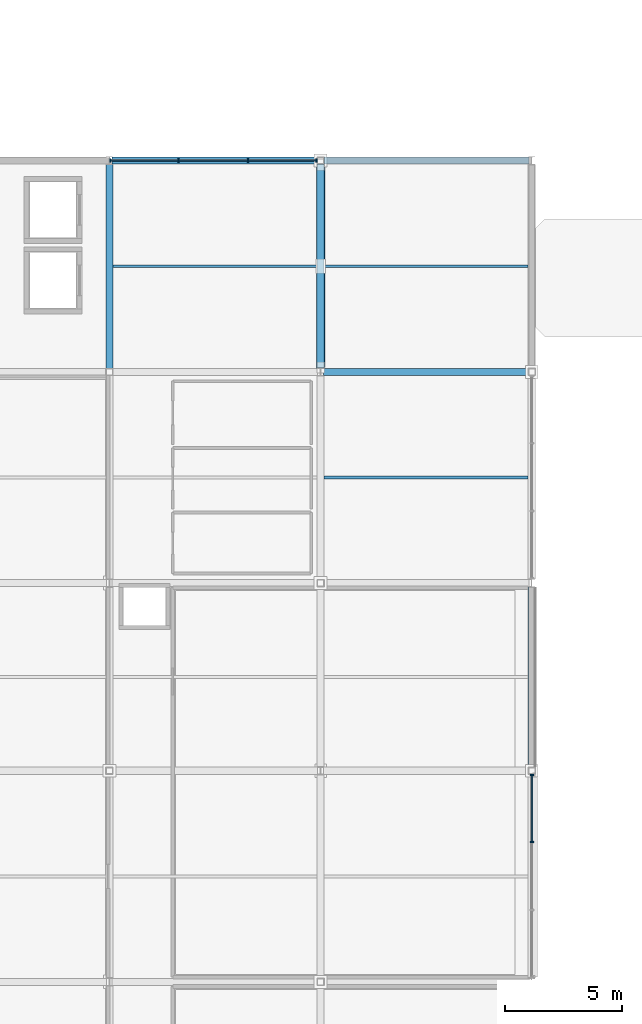
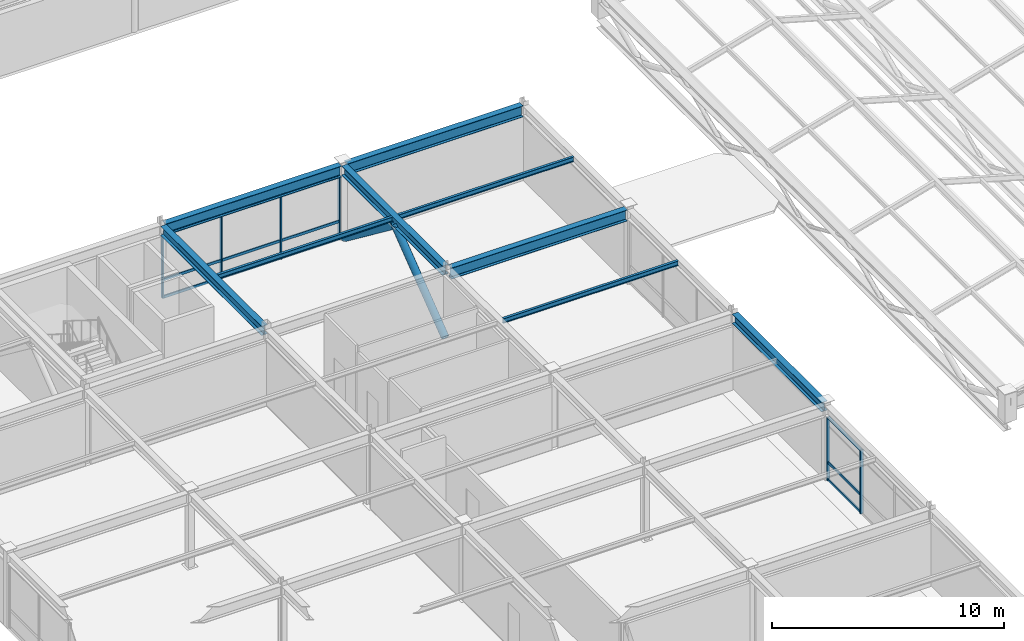
# One storey, part 30 of 108: 20 members, 9 beams, 2 elements without a shape of their own.
"""IFC4 building model written with IfcOpenShell, lengths in metres."""

from ifc_helpers import new_model, si_unit, direction, frame, origin, origin_2d, place, context, subcontext, project, spatial, rectangle, hollow_circle, i_section, extrude, material, material_profile, profile_set, type_object, element, aggregate, save


model = new_model("IFC4")

# Units and contexts
model_context = context("Model", 3, precision=1e-05, world=origin(), true_north=direction((0.0, 1.0)))
body_context = subcontext(model_context, "Body", "Model", "MODEL_VIEW")
ifc_project = project(units=[si_unit("LENGTHUNIT", "METRE"), si_unit("AREAUNIT", "SQUARE_METRE"), si_unit("VOLUMEUNIT", "CUBIC_METRE"), si_unit("PLANEANGLEUNIT", "RADIAN"), si_unit("MASSUNIT", "GRAM", prefix="KILO")], contexts=[model_context])

# Site, building, storey
site_placement = place(None, origin())
site = spatial("IfcSite", under=ifc_project, at=site_placement, CompositionType="ELEMENT")
building_placement = place(site_placement, origin())
building = spatial("IfcBuilding", under=site, at=building_placement, Name="Suzunagisa Mobility Hub", CompositionType="ELEMENT")
storey_placement = place(building_placement, frame((0.0, 0.0, 9.300048828125)))
storey = spatial("IfcBuildingStorey", under=building, at=storey_placement, Name="L02", CompositionType="ELEMENT", Elevation=9.300048828125)

# Curtain wall, members
ifc_material_1 = material(Name="Thermally Broken Anodized Aluminum and Low-E Glazing", Category="aluminium")
curtain_wall_type = type_object("IfcCurtainWallType", Name="Unitised Curtain Wall CW-12 8750x3300", PredefinedType="USERDEFINED", material=ifc_material_1)
curtain_wall_1_placement = place(storey_placement, origin())
curtain_wall_1 = element("IfcCurtainWall", 1, at=curtain_wall_1_placement, inside=storey, type_object=curtain_wall_type, Name="L02 Unitised Curtain Wall CW-27", ObjectType="UNITISED CURTAIN WALL", PredefinedType="USERDEFINED")
ifc_material_2 = material(Name="Anodized Aluminum 6063-T6", Category="aluminium")
ifc_material_profile_1 = material_profile(ifc_material_2, rectangle(XDim=0.06494140625, YDim=0.139892578125, at=origin_2d()), Name="TRAN-65x140")
ifc_profile_set_1 = profile_set([ifc_material_profile_1], Name="Anodized Aluminum 6063-T6")
member_type_1 = type_object("IfcMemberType", Name="Curtain Wall Framing CM-01 TRAN-65x140", PredefinedType="USERDEFINED", material=ifc_profile_set_1)
member_1_placement = place(storey_placement, frame((36.0, 32.984619140625, 0.032470703125), z_axis=(0.0, 1.0, 0.0), x_axis=(-1.0, 0.0, 0.0)))
member_1 = element("IfcMember", 2, at=member_1_placement, type_object=member_type_1, Name="Curtain Wall Transom 27-T3.1", ObjectType="TRANSOM", PredefinedType="USERDEFINED", context=body_context, shape_type="SweptSolid", body=[
    extrude(rectangle(XDim=0.06494140625, YDim=0.139892578125, at=origin_2d()), origin(), (0.0, 0.0, 1.0), 2.807373046875),
])
member_2_placement = place(storey_placement, frame((36.0, 32.984619140625, 0.949951171875), z_axis=(0.0, 1.0, 0.0), x_axis=(-1.0, 0.0, 0.0)))
member_2 = element("IfcMember", 3, at=member_2_placement, type_object=member_type_1, Name="Curtain Wall Transom 27-T3.2", ObjectType="TRANSOM", PredefinedType="USERDEFINED", context=body_context, shape_type="SweptSolid", body=[
    extrude(rectangle(XDim=0.06494140625, YDim=0.139892578125, at=origin_2d()), origin(), (0.0, 0.0, 1.0), 2.807373046875),
])
member_3_placement = place(storey_placement, frame((36.0, 32.984619140625, 3.299560546875), z_axis=(0.0, 1.0, 0.0), x_axis=(-1.0, 0.0, 0.0)))
member_3 = element("IfcMember", 4, at=member_3_placement, type_object=member_type_1, Name="Curtain Wall Transom 27-T3.3", ObjectType="TRANSOM", PredefinedType="USERDEFINED", context=body_context, shape_type="SweptSolid", body=[
    extrude(rectangle(XDim=0.06494140625, YDim=0.139892578125, at=origin_2d()), origin(), (0.0, 0.0, 1.0), 2.807373046875),
])

curtain_wall_2_placement = place(storey_placement, origin())
curtain_wall_2 = element("IfcCurtainWall", 5, at=curtain_wall_2_placement, inside=storey, type_object=curtain_wall_type, Name="L02 Unitised Curtain Wall CW-29", ObjectType="UNITISED CURTAIN WALL", PredefinedType="USERDEFINED")
member_4_placement = place(storey_placement, frame((26.7919921875, 62.0, 0.032470703125), z_axis=(-1.0, 0.0, 0.0), x_axis=(0.0, -1.0, 0.0)))
member_4 = element("IfcMember", 6, at=member_4_placement, type_object=member_type_1, Name="Curtain Wall Transom 29-T1.1", ObjectType="TRANSOM", PredefinedType="USERDEFINED", context=body_context, shape_type="SweptSolid", body=[
    extrude(rectangle(XDim=0.06494140625, YDim=0.139892578125, at=origin_2d()), origin(), (0.0, 0.0, 1.0), 2.862548828125),
])
member_5_placement = place(storey_placement, frame((26.7919921875, 62.0, 0.949951171875), z_axis=(-1.0, 0.0, 0.0), x_axis=(0.0, -1.0, 0.0)))
member_5 = element("IfcMember", 7, at=member_5_placement, type_object=member_type_1, Name="Curtain Wall Transom 29-T1.2", ObjectType="TRANSOM", PredefinedType="USERDEFINED", context=body_context, shape_type="SweptSolid", body=[
    extrude(rectangle(XDim=0.06494140625, YDim=0.139892578125, at=origin_2d()), origin(), (0.0, 0.0, 1.0), 2.862548828125),
])
member_6_placement = place(storey_placement, frame((26.7919921875, 62.0, 3.299560546875), z_axis=(-1.0, 0.0, 0.0), x_axis=(0.0, -1.0, 0.0)))
member_6 = element("IfcMember", 8, at=member_6_placement, type_object=member_type_1, Name="Curtain Wall Transom 29-T1.3", ObjectType="TRANSOM", PredefinedType="USERDEFINED", context=body_context, shape_type="SweptSolid", body=[
    extrude(rectangle(XDim=0.06494140625, YDim=0.139892578125, at=origin_2d()), origin(), (0.0, 0.0, 1.0), 2.862548828125),
])
member_7_placement = place(storey_placement, frame((23.87353515625, 62.0, 0.032470703125), z_axis=(-1.0, 0.0, 0.0), x_axis=(0.0, -1.0, 0.0)))
member_7 = element("IfcMember", 9, at=member_7_placement, type_object=member_type_1, Name="Curtain Wall Transom 29-T2.1", ObjectType="TRANSOM", PredefinedType="USERDEFINED", context=body_context, shape_type="SweptSolid", body=[
    extrude(rectangle(XDim=0.06494140625, YDim=0.139892578125, at=origin_2d()), origin(), (0.0, 0.0, 1.0), 2.892578125),
])
member_8_placement = place(storey_placement, frame((23.87353515625, 62.0, 0.949951171875), z_axis=(-1.0, 0.0, 0.0), x_axis=(0.0, -1.0, 0.0)))
member_8 = element("IfcMember", 10, at=member_8_placement, type_object=member_type_1, Name="Curtain Wall Transom 29-T2.2", ObjectType="TRANSOM", PredefinedType="USERDEFINED", context=body_context, shape_type="SweptSolid", body=[
    extrude(rectangle(XDim=0.06494140625, YDim=0.139892578125, at=origin_2d()), origin(), (0.0, 0.0, 1.0), 2.892578125),
])
member_9_placement = place(storey_placement, frame((23.87353515625, 62.0, 3.299560546875), z_axis=(-1.0, 0.0, 0.0), x_axis=(0.0, -1.0, 0.0)))
member_9 = element("IfcMember", 11, at=member_9_placement, type_object=member_type_1, Name="Curtain Wall Transom 29-T2.3", ObjectType="TRANSOM", PredefinedType="USERDEFINED", context=body_context, shape_type="SweptSolid", body=[
    extrude(rectangle(XDim=0.06494140625, YDim=0.139892578125, at=origin_2d()), origin(), (0.0, 0.0, 1.0), 2.892578125),
])
member_10_placement = place(storey_placement, frame((20.925048828125, 62.0, 0.032470703125), z_axis=(-1.0, 0.0, 0.0), x_axis=(0.0, -1.0, 0.0)))
member_10 = element("IfcMember", 12, at=member_10_placement, type_object=member_type_1, Name="Curtain Wall Transom 29-T3.1", ObjectType="TRANSOM", PredefinedType="USERDEFINED", context=body_context, shape_type="SweptSolid", body=[
    extrude(rectangle(XDim=0.06494140625, YDim=0.139892578125, at=origin_2d()), origin(), (0.0, 0.0, 1.0), 2.862548828125),
])
member_11_placement = place(storey_placement, frame((20.925048828125, 62.0, 0.949951171875), z_axis=(-1.0, 0.0, 0.0), x_axis=(0.0, -1.0, 0.0)))
member_11 = element("IfcMember", 13, at=member_11_placement, type_object=member_type_1, Name="Curtain Wall Transom 29-T3.2", ObjectType="TRANSOM", PredefinedType="USERDEFINED", context=body_context, shape_type="SweptSolid", body=[
    extrude(rectangle(XDim=0.06494140625, YDim=0.139892578125, at=origin_2d()), origin(), (0.0, 0.0, 1.0), 2.862548828125),
])
member_12_placement = place(storey_placement, frame((20.925048828125, 62.0, 3.299560546875), z_axis=(-1.0, 0.0, 0.0), x_axis=(0.0, -1.0, 0.0)))
member_12 = element("IfcMember", 14, at=member_12_placement, type_object=member_type_1, Name="Curtain Wall Transom 29-T3.3", ObjectType="TRANSOM", PredefinedType="USERDEFINED", context=body_context, shape_type="SweptSolid", body=[
    extrude(rectangle(XDim=0.06494140625, YDim=0.139892578125, at=origin_2d()), origin(), (0.0, 0.0, 1.0), 2.862548828125),
])

# Member
ifc_material_profile_2 = material_profile(ifc_material_2, rectangle(XDim=0.06005859375, YDim=0.14990234375, at=origin_2d()), Name="MULL-60x150")
ifc_profile_set_2 = profile_set([ifc_material_profile_2], Name="Anodized Aluminum 6063-T6")
member_type_2 = type_object("IfcMemberType", Name="Curtain Wall Framing CM-03 MULL-60x150", PredefinedType="MULLION", material=ifc_profile_set_2)
member_13_placement = place(storey_placement, frame((36.0, 32.956787109375, 0.0), z_axis=(0.0, 0.0, 1.0), x_axis=(0.0, 1.0, 0.0)))
member_13 = element("IfcMember", 15, at=member_13_placement, type_object=member_type_2, Name="Curtain Wall Mullion 27-M3", PredefinedType="MULLION", context=body_context, shape_type="SweptSolid", body=[
    extrude(rectangle(XDim=0.06005859375, YDim=0.14990234375, at=origin_2d()), origin(), (0.0, 0.0, 1.0), 3.33203125),
])

member_14_placement = place(storey_placement, frame((36.0, 35.820068359375, 0.0), z_axis=(0.0, 0.0, 1.0), x_axis=(0.0, 1.0, 0.0)))
member_14 = element("IfcMember", 16, at=member_14_placement, type_object=member_type_2, Name="Curtain Wall Mullion 27-M4", PredefinedType="MULLION", context=body_context, shape_type="SweptSolid", body=[
    extrude(rectangle(XDim=0.06005859375, YDim=0.14990234375, at=origin_2d()), origin(), (0.0, 0.0, 1.0), 3.33203125),
])

aggregate(curtain_wall_1, [member_13, member_14, member_1, member_2, member_3])

member_15_placement = place(storey_placement, frame((26.820068359375, 62.0, 0.0), z_axis=(0.0, 0.0, 1.0), x_axis=(-1.0, 0.0, 0.0)))
member_15 = element("IfcMember", 17, at=member_15_placement, type_object=member_type_2, Name="Curtain Wall Mullion 29-M1", PredefinedType="MULLION", context=body_context, shape_type="SweptSolid", body=[
    extrude(rectangle(XDim=0.06005859375, YDim=0.14990234375, at=origin_2d()), origin(), (0.0, 0.0, 1.0), 3.33203125),
])

member_16_placement = place(storey_placement, frame((23.901611328125, 62.0, 0.0), z_axis=(0.0, 0.0, 1.0), x_axis=(-1.0, 0.0, 0.0)))
member_16 = element("IfcMember", 18, at=member_16_placement, type_object=member_type_2, Name="Curtain Wall Mullion 29-M2", PredefinedType="MULLION", context=body_context, shape_type="SweptSolid", body=[
    extrude(rectangle(XDim=0.06005859375, YDim=0.14990234375, at=origin_2d()), origin(), (0.0, 0.0, 1.0), 3.33203125),
])

member_17_placement = place(storey_placement, frame((20.952880859375, 62.0, 0.0), z_axis=(0.0, 0.0, 1.0), x_axis=(-1.0, 0.0, 0.0)))
member_17 = element("IfcMember", 19, at=member_17_placement, type_object=member_type_2, Name="Curtain Wall Mullion 29-M3", PredefinedType="MULLION", context=body_context, shape_type="SweptSolid", body=[
    extrude(rectangle(XDim=0.06005859375, YDim=0.14990234375, at=origin_2d()), origin(), (0.0, 0.0, 1.0), 3.33203125),
])

member_18_placement = place(storey_placement, frame((18.034423828125, 62.0, 0.0), z_axis=(0.0, 0.0, 1.0), x_axis=(-1.0, 0.0, 0.0)))
member_18 = element("IfcMember", 20, at=member_18_placement, type_object=member_type_2, Name="Curtain Wall Mullion 29-M4", PredefinedType="MULLION", context=body_context, shape_type="SweptSolid", body=[
    extrude(rectangle(XDim=0.06005859375, YDim=0.14990234375, at=origin_2d()), origin(), (0.0, 0.0, 1.0), 3.33203125),
])

aggregate(curtain_wall_2, [member_15, member_16, member_17, member_18, member_4, member_5, member_6, member_7, member_8, member_9, member_10, member_11, member_12])

# Members
ifc_material_3 = material(Name="Steel SN490B", Category="steel")
ifc_material_profile_3 = material_profile(ifc_material_3, hollow_circle(Radius=0.177734375, WallThickness=0.0126953125, at=origin_2d()), Name="CHS-355.6x12.7")
ifc_profile_set_3 = profile_set([ifc_material_profile_3], Name="Steel SN490B")
member_type_3 = type_object("IfcMemberType", Name="Roof Truss and Brace Member MB-03 CHS-355.6x12.7", PredefinedType="BRACE", material=ifc_profile_set_3)
member_19_placement = place(storey_placement, frame((27.0, 53.18994140625, 0.119873046875), z_axis=(0.0, 0.794164986124, 0.607702208992), x_axis=(-1.0, 0.0, 0.0)))
element("IfcMember", 21, at=member_19_placement, inside=storey, type_object=member_type_3, Name="L02 Concentric Lateral Brace BR-13", PredefinedType="BRACE", context=body_context, shape_type="SweptSolid", body=[
    extrude(hollow_circle(Radius=0.177734375, WallThickness=0.0126953125, at=origin_2d()), origin(), (0.0, 0.0, 1.0), 5.42724609375),
])
member_20_placement = place(storey_placement, frame((27.0, 61.830078125, 0.119873046875), z_axis=(0.0, -0.795521289596, 0.605925637187), x_axis=(1.0, 0.0, 0.0)))
element("IfcMember", 22, at=member_20_placement, inside=storey, type_object=member_type_3, Name="L02 Concentric Lateral Brace BR-14", PredefinedType="BRACE", context=body_context, shape_type="SweptSolid", body=[
    extrude(hollow_circle(Radius=0.177734375, WallThickness=0.0126953125, at=origin_2d()), origin(), (0.0, 0.0, 1.0), 5.443115234375),
])

# Beams
ifc_material_profile_4 = material_profile(ifc_material_3, i_section(OverallWidth=0.300048828125, OverallDepth=0.488037109375, WebThickness=0.010986328125, FlangeThickness=0.01806640625, FilletRadius=0.012939453125, at=origin_2d()), Name="H-488x300x11x18")
ifc_profile_set_4 = profile_set([ifc_material_profile_4], Name="Steel SN490B")
beam_type_1 = type_object("IfcBeamType", Name="Steel Beam BM-06 H-488x300x11x18", PredefinedType="BEAM", material=ifc_profile_set_4)
for number, where, z_axis, x_axis, name in (
    (23, (18.0, 53.14599609375, 3.676025390625), (0.0, 1.0, 0.0), (-1.0, 0.0, 0.0), "L02 Primary Girder GY-314"),
    (24, (27.0, 53.166015625, 3.676025390625), (0.0, 1.0, 0.0), (-1.0, 0.0, 0.0), "L02 Primary Girder GY-320"),
):
    element("IfcBeam", number, at=place(storey_placement, frame(where, z_axis=z_axis, x_axis=x_axis)), inside=storey, type_object=beam_type_1, Name=name, PredefinedType="BEAM", context=body_context, shape_type="SweptSolid", body=[
        extrude(i_section(OverallWidth=0.300048828125, OverallDepth=0.488037109375, WebThickness=0.010986328125, FlangeThickness=0.01806640625, FilletRadius=0.012939453125, at=origin_2d()), origin(), (0.0, 0.0, 1.0), 8.68798828125),
    ])
beam_placement = place(storey_placement, frame((36.0, 36.14599609375, 3.676025390625), z_axis=(0.0, 1.0, 0.0), x_axis=(-1.0, 0.0, 0.0)))
element("IfcBeam", 25, at=beam_placement, inside=storey, type_object=beam_type_1, Name="L02 Primary Girder GY-324", PredefinedType="BEAM", context=body_context, shape_type="SweptSolid", body=[
    extrude(i_section(OverallWidth=0.300048828125, OverallDepth=0.488037109375, WebThickness=0.010986328125, FlangeThickness=0.01806640625, FilletRadius=0.012939453125, at=origin_2d()), origin(), (0.0, 0.0, 1.0), 7.68798828125),
])
ifc_material_profile_5 = material_profile(ifc_material_3, i_section(OverallWidth=0.300048828125, OverallDepth=0.587890625, WebThickness=0.011962890625, FlangeThickness=0.02001953125, FilletRadius=0.012939453125, at=origin_2d()), Name="H-588x300x12x20")
ifc_profile_set_5 = profile_set([ifc_material_profile_5], Name="Steel SN490B")
beam_type_2 = type_object("IfcBeamType", Name="Steel Beam BM-16 H-588x300x12x20", PredefinedType="BEAM", material=ifc_profile_set_5)
for number, where, z_axis, x_axis, name in (
    (26, (27.12109375, 53.0, 3.6259765625), (1.0, 0.0, 0.0), (0.0, 1.0, 0.0), "L02 Primary Girder GX-293"),
    (27, (18.12109375, 62.0, 3.6259765625), (1.0, 0.0, 0.0), (0.0, 1.0, 0.0), "L02 Primary Girder GX-296"),
    (28, (27.14599609375, 62.0, 3.6259765625), (1.0, 0.0, 0.0), (0.0, 1.0, 0.0), "L02 Primary Girder GX-297"),
):
    element("IfcBeam", number, at=place(storey_placement, frame(where, z_axis=z_axis, x_axis=x_axis)), inside=storey, type_object=beam_type_2, Name=name, PredefinedType="BEAM", context=body_context, shape_type="SweptSolid", body=[
        extrude(i_section(OverallWidth=0.300048828125, OverallDepth=0.587890625, WebThickness=0.011962890625, FlangeThickness=0.02001953125, FilletRadius=0.012939453125, at=origin_2d()), origin(), (0.0, 0.0, 1.0), 8.73291015625),
    ])
ifc_material_4 = material(Name="Steel SN400B", Category="steel")
ifc_material_profile_6 = material_profile(ifc_material_4, i_section(OverallWidth=0.125, OverallDepth=0.25, WebThickness=0.006103515625, FlangeThickness=0.009033203125, FilletRadius=0.008056640625, at=origin_2d()), Name="H-250x125x6x9")
ifc_profile_set_6 = profile_set([ifc_material_profile_6], Name="Steel SN400B")
beam_type_3 = type_object("IfcBeamType", Name="Steel Beam BM-21 H-250x125x6x9", PredefinedType="JOIST", material=ifc_profile_set_6)
for number, where, z_axis, x_axis, name in (
    (29, (18.14990234375, 57.5, 3.794921875), (1.0, 0.0, 0.0), (0.0, 1.0, 0.0), "L02 Composite Floor Joist J-342"),
    (30, (27.14990234375, 48.5, 3.794921875), (1.0, 0.0, 0.0), (0.0, 1.0, 0.0), "L02 Composite Floor Joist J-347"),
    (31, (27.14990234375, 57.5, 3.794921875), (1.0, 0.0, 0.0), (0.0, 1.0, 0.0), "L02 Composite Floor Joist J-348"),
):
    element("IfcBeam", number, at=place(storey_placement, frame(where, z_axis=z_axis, x_axis=x_axis)), inside=storey, type_object=beam_type_3, Name=name, PredefinedType="JOIST", context=body_context, shape_type="SweptSolid", body=[
        extrude(i_section(OverallWidth=0.125, OverallDepth=0.25, WebThickness=0.006103515625, FlangeThickness=0.009033203125, FilletRadius=0.008056640625, at=origin_2d()), origin(), (0.0, 0.0, 1.0), 8.7001953125),
    ])

save(model, "model.ifc")
